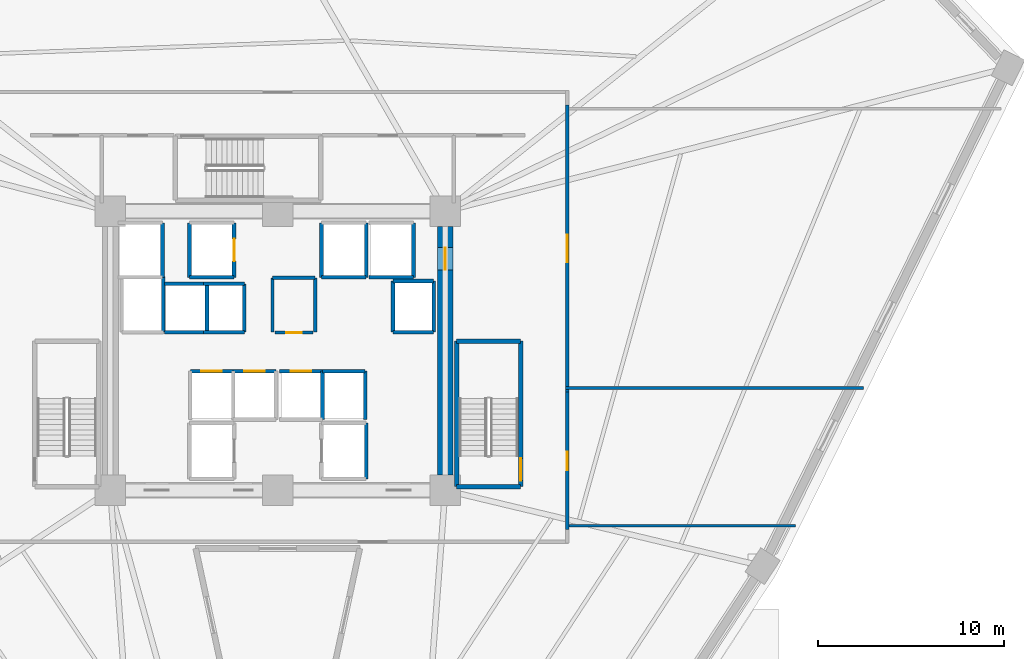
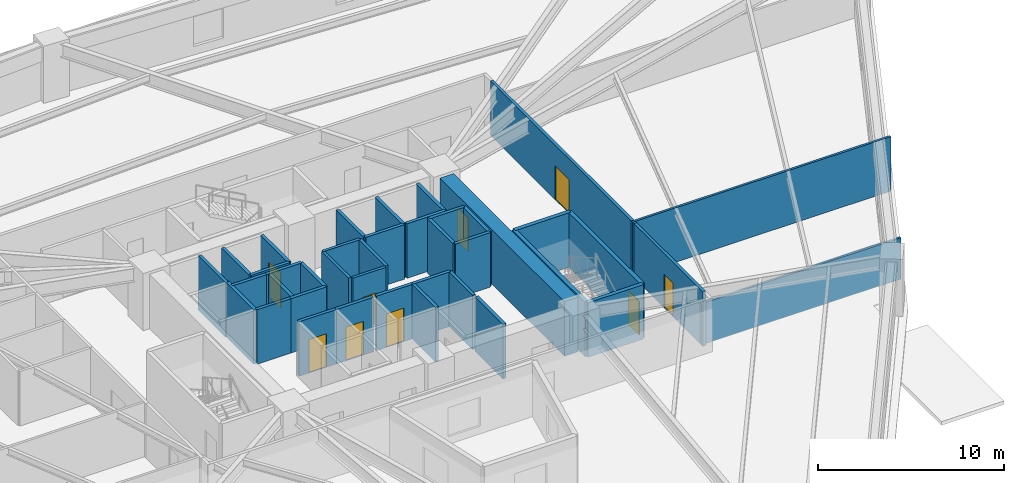
# One storey, part 5 of 9: 40 walls, 9 doors, 9 openings.
"""IFC4 building model written with IfcOpenShell, lengths in metres."""

from ifc_helpers import new_model, si_unit, direction, frame, frame_2d, origin, place, context, subcontext, project, spatial, rectangle, extrude, source, transform, mapped, material, layer, layer_set, type_object, element, fill, save


model = new_model("IFC4")

# Units and contexts
model_context = context("Model", 3, precision=1e-05, world=origin(), true_north=direction((0.0, 1.0)))
body_context = subcontext(model_context, "Body", "Model", "MODEL_VIEW")
ifc_project = project(units=[si_unit("LENGTHUNIT", "METRE"), si_unit("AREAUNIT", "SQUARE_METRE"), si_unit("VOLUMEUNIT", "CUBIC_METRE"), si_unit("PLANEANGLEUNIT", "RADIAN"), si_unit("MASSUNIT", "GRAM", prefix="KILO")], contexts=[model_context])

# Site, building, storey
site_placement = place(None, origin())
site = spatial("IfcSite", under=ifc_project, at=site_placement, CompositionType="ELEMENT")
building_placement = place(site_placement, origin())
building = spatial("IfcBuilding", under=site, at=building_placement, Name="Liaohun Quay Tower", CompositionType="ELEMENT")
storey_placement = place(building_placement, frame((0.0, 0.0, 28.5)))
storey = spatial("IfcBuildingStorey", under=building, at=storey_placement, Name="L07", CompositionType="ELEMENT", Elevation=28.5)

# Wall, opening, door
ifc_material_1 = material(Name="Concrete C60", Category="concrete")
ifc_layer_1 = layer(ifc_material_1, 0.85009765625, Name="Concrete C60", Category="concrete")
ifc_layer_set_1 = layer_set([ifc_layer_1], Name="Concrete C60")
wall_type_1 = type_object("IfcWallType", Name="WAL-COR-Z1", PredefinedType="SHEAR", material=ifc_layer_set_1)
wall_1_placement = place(storey_placement, frame((69.0, 60.675048828125, 0.0), z_axis=(0.0, 0.0, 1.0), x_axis=(0.0, -1.0, 0.0)))
wall_1 = element("IfcWall", 1, at=wall_1_placement, inside=storey, type_object=wall_type_1, Name="L07 Central Core Shear Wall E", PredefinedType="SHEAR", context=body_context, shape_type="SweptSolid", body=[
    extrude(rectangle(XDim=13.35009765625, YDim=0.85009765625, at=frame_2d((6.675048828125, 0.0))), origin(), (0.0, 0.0, 1.0), 3.570068359375),
])
shared_shape_1 = source(origin(), body_context, "Body", "SweptSolid", [
    extrude(rectangle(XDim=1.199951171875, YDim=2.199951171875, at=frame_2d((0.60009765625, 1.10009765625))), frame((0.0, 0.43505859375, 0.0), z_axis=(0.0, -1.0, 0.0), x_axis=(1.0, 0.0, 0.0)), (0.0, 0.0, 1.0), 0.8701171875),
])
opening_1_placement = place(wall_1_placement, frame((1.125, 0.0, 0.0)))
opening_1 = element("IfcOpeningElement", 2, at=opening_1_placement, cuts=wall_1, Name="Opening SD1", PredefinedType="OPENING", context=body_context, shape_type="MappedRepresentation", body=[
    mapped(shared_shape_1, transform((0.0, 0.0, 0.0), x_axis=(1.0, 0.0, 0.0), y_axis=(0.0, 1.0, 0.0), z_axis=(0.0, 0.0, 1.0), scale=1.0)),
])
ifc_material_2 = material(Name="Galvanised steel fire door", Category="steel")
door_type_1 = type_object("IfcDoorType", Name="DOR-STR-1200", OperationType="NOTDEFINED", PredefinedType="DOOR", material=ifc_material_2)
shared_shape_2 = source(origin(), body_context, "Body", "SweptSolid", [
    extrude(rectangle(XDim=1.199951171875, YDim=2.199951171875, at=frame_2d((0.60009765625, 1.10009765625))), frame((0.0, 0.02490234375, 0.0), z_axis=(0.0, -1.0, 0.0), x_axis=(1.0, 0.0, 0.0)), (0.0, 0.0, 1.0), 0.050048828125),
])
door_1_placement = place(opening_1_placement, origin())
door_1 = element("IfcDoor", 3, at=door_1_placement, inside=storey, type_object=door_type_1, Name="L07 North-East Core Lobby Smokeproof Door", OperationType="SINGLE_SWING_LEFT", OverallHeight=2.199951171875, OverallWidth=1.199951171875, PredefinedType="DOOR", context=body_context, shape_type="MappedRepresentation", body=[
    mapped(shared_shape_2, transform((0.0, 0.0, 0.0), x_axis=(1.0, 0.0, 0.0), y_axis=(0.0, 1.0, 0.0), z_axis=(0.0, 0.0, 1.0), scale=1.0)),
])
fill(opening_1, door_1)

ifc_material_3 = material(Name="Autoclaved aerated concrete blockwork", Category="masonry")
ifc_layer_2 = layer(ifc_material_3, 0.179931640625, Name="Autoclaved aerated concrete blockwork", Category="masonry")
ifc_layer_set_2 = layer_set([ifc_layer_2], Name="Autoclaved aerated concrete blockwork")
wall_type_2 = type_object("IfcWallType", Name="WAL-PRT-COR", PredefinedType="PARTITIONING", material=ifc_layer_set_2)
wall_2_placement = place(storey_placement, frame((59.840087890625, 54.97998046875, 0.0), z_axis=(0.0, 0.0, 1.0), x_axis=(1.0, 0.0, 0.0)))
wall_2 = element("IfcWall", 4, at=wall_2_placement, inside=storey, type_object=wall_type_2, Name="L07 Interior Partition Wall 001", PredefinedType="PARTITIONING", context=body_context, shape_type="SweptSolid", body=[
    extrude(rectangle(XDim=2.059814453125, YDim=0.179931640625, at=frame_2d((1.02978515625, 0.0))), origin(), (0.0, 0.0, 1.0), 3.570068359375),
])
shared_shape_3 = source(origin(), body_context, "Body", "SweptSolid", [
    extrude(rectangle(XDim=0.85009765625, YDim=2.10009765625, at=frame_2d((0.425048828125, 1.050048828125))), frame((0.0, 0.099853515625, 0.0), z_axis=(0.0, -1.0, 0.0), x_axis=(1.0, 0.0, 0.0)), (0.0, 0.0, 1.0), 0.199951171875),
])
opening_2_placement = place(wall_2_placement, frame((0.60498046875, 0.0, 0.0)))
opening_2 = element("IfcOpeningElement", 5, at=opening_2_placement, cuts=wall_2, Name="Opening AD1", PredefinedType="OPENING", context=body_context, shape_type="MappedRepresentation", body=[
    mapped(shared_shape_3, transform((0.0, 0.0, 0.0), x_axis=(1.0, 0.0, 0.0), y_axis=(0.0, 1.0, 0.0), z_axis=(0.0, 0.0, 1.0), scale=1.0)),
])
ifc_material_4 = material(Name="Steel riser inspection fire door", Category="steel")
door_type_2 = type_object("IfcDoorType", Name="DOR-SHF-850", OperationType="NOTDEFINED", PredefinedType="DOOR", material=ifc_material_4)
shared_shape_4 = source(origin(), body_context, "Body", "SweptSolid", [
    extrude(rectangle(XDim=0.85009765625, YDim=2.10009765625, at=frame_2d((0.425048828125, 1.050048828125))), frame((0.0, 0.02490234375, 0.0), z_axis=(0.0, -1.0, 0.0), x_axis=(1.0, 0.0, 0.0)), (0.0, 0.0, 1.0), 0.050048828125),
])
door_2_placement = place(opening_2_placement, origin())
door_2 = element("IfcDoor", 6, at=door_2_placement, inside=storey, type_object=door_type_2, Name="L07 Core Electrical and Telecom Riser Room Door", OperationType="SINGLE_SWING_RIGHT", OverallHeight=2.10009765625, OverallWidth=0.85009765625, PredefinedType="DOOR", context=body_context, shape_type="MappedRepresentation", body=[
    mapped(shared_shape_4, transform((0.0, 0.0, 0.0), x_axis=(1.0, 0.0, 0.0), y_axis=(0.0, 1.0, 0.0), z_axis=(0.0, 0.0, 1.0), scale=1.0)),
])
fill(opening_2, door_2)

wall_3_placement = place(storey_placement, frame((75.56005859375, 67.215087890625, 0.0), z_axis=(0.0, 0.0, 1.0), x_axis=(0.0, -1.0, 0.0)))
wall_3 = element("IfcWall", 7, at=wall_3_placement, inside=storey, type_object=wall_type_2, Name="L07 Interior Partition Wall 009", PredefinedType="PARTITIONING", context=body_context, shape_type="SweptSolid", body=[
    extrude(rectangle(XDim=15.43017578125, YDim=0.179931640625, at=frame_2d((7.715087890625, 0.0))), origin(), (0.0, 0.0, 1.0), 3.570068359375),
])
shared_shape_5 = source(origin(), body_context, "Body", "SweptSolid", [
    extrude(rectangle(XDim=1.5, YDim=2.199951171875, at=frame_2d((0.75, 1.10009765625))), frame((0.0, 0.099853515625, 0.0), z_axis=(0.0, -1.0, 0.0), x_axis=(1.0, 0.0, 0.0)), (0.0, 0.0, 1.0), 0.199951171875),
])
opening_3_placement = place(wall_3_placement, frame((6.965087890625, 0.0, 0.0)))
opening_3 = element("IfcOpeningElement", 8, at=opening_3_placement, cuts=wall_3, Name="Opening OD2", PredefinedType="OPENING", context=body_context, shape_type="MappedRepresentation", body=[
    mapped(shared_shape_5, transform((0.0, 0.0, 0.0), x_axis=(1.0, 0.0, 0.0), y_axis=(0.0, 1.0, 0.0), z_axis=(0.0, 0.0, 1.0), scale=1.0)),
])
ifc_material_5 = material(Name="Acoustic oak veneer double door")
door_type_3 = type_object("IfcDoorType", Name="DOR-OFF-1500", OperationType="DOUBLE_DOOR_SINGLE_SWING", PredefinedType="DOOR", material=ifc_material_5)
shared_shape_6 = source(origin(), body_context, "Body", "SweptSolid", [
    extrude(rectangle(XDim=1.5, YDim=2.199951171875, at=frame_2d((0.75, 1.10009765625))), frame((0.0, 0.02490234375, 0.0), z_axis=(0.0, -1.0, 0.0), x_axis=(1.0, 0.0, 0.0)), (0.0, 0.0, 1.0), 0.050048828125),
])
door_3_placement = place(opening_3_placement, origin())
door_3 = element("IfcDoor", 9, at=door_3_placement, inside=storey, type_object=door_type_3, Name="L07 Architectural Design Studio 01 Door", OperationType="DOUBLE_DOOR_SINGLE_SWING", OverallHeight=2.199951171875, OverallWidth=1.5, PredefinedType="DOOR", context=body_context, shape_type="MappedRepresentation", body=[
    mapped(shared_shape_6, transform((0.0, 0.0, 0.0), x_axis=(1.0, 0.0, 0.0), y_axis=(0.0, 1.0, 0.0), z_axis=(0.0, 0.0, 1.0), scale=1.0)),
])
fill(opening_3, door_3)

wall_4_placement = place(storey_placement, frame((75.56005859375, 51.784912109375, 0.0), z_axis=(0.0, 0.0, 1.0), x_axis=(0.0, -1.0, 0.0)))
wall_4 = element("IfcWall", 10, at=wall_4_placement, inside=storey, type_object=wall_type_2, Name="L07 Interior Partition Wall 014", PredefinedType="PARTITIONING", context=body_context, shape_type="SweptSolid", body=[
    extrude(rectangle(XDim=7.39990234375, YDim=0.179931640625, at=frame_2d((3.699951171875, 0.0))), origin(), (0.0, 0.0, 1.0), 3.570068359375),
])
shared_shape_7 = source(origin(), body_context, "Body", "SweptSolid", [
    extrude(rectangle(XDim=1.0, YDim=2.199951171875, at=frame_2d((0.5, 1.10009765625))), frame((0.0, 0.099853515625, 0.0), z_axis=(0.0, -1.0, 0.0), x_axis=(1.0, 0.0, 0.0)), (0.0, 0.0, 1.0), 0.199951171875),
])
opening_4_placement = place(wall_4_placement, frame((3.199951171875, 0.0, 0.0)))
opening_4 = element("IfcOpeningElement", 11, at=opening_4_placement, cuts=wall_4, Name="Opening OD1", PredefinedType="OPENING", context=body_context, shape_type="MappedRepresentation", body=[
    mapped(shared_shape_7, transform((0.0, 0.0, 0.0), x_axis=(1.0, 0.0, 0.0), y_axis=(0.0, 1.0, 0.0), z_axis=(0.0, 0.0, 1.0), scale=1.0)),
])
ifc_material_6 = material(Name="Solid-core oak veneer timber leaf in steel frame", Category="steel")
door_type_4 = type_object("IfcDoorType", Name="DOR-OFF-1000", OperationType="NOTDEFINED", PredefinedType="DOOR", material=ifc_material_6)
shared_shape_8 = source(origin(), body_context, "Body", "SweptSolid", [
    extrude(rectangle(XDim=1.0, YDim=2.199951171875, at=frame_2d((0.5, 1.10009765625))), frame((0.0, 0.02490234375, 0.0), z_axis=(0.0, -1.0, 0.0), x_axis=(1.0, 0.0, 0.0)), (0.0, 0.0, 1.0), 0.050048828125),
])
door_4_placement = place(opening_4_placement, origin())
door_4 = element("IfcDoor", 12, at=door_4_placement, inside=storey, type_object=door_type_4, Name="L07 Staff Tea Kitchen and Pantry 06 Door", OperationType="SINGLE_SWING_LEFT", OverallHeight=2.199951171875, OverallWidth=1.0, PredefinedType="DOOR", context=body_context, shape_type="MappedRepresentation", body=[
    mapped(shared_shape_8, transform((0.0, 0.0, 0.0), x_axis=(1.0, 0.0, 0.0), y_axis=(0.0, 1.0, 0.0), z_axis=(0.0, 0.0, 1.0), scale=1.0)),
])
fill(opening_4, door_4)

# Walls
for number, where, z_axis, x_axis, name in (
    (13, (59.719970703125, 55.02001953125, 0.0), (0.0, 0.0, 1.0), (0.0, 1.0, 0.0), "L07 Interior Partition Wall 015"),
    (14, (62.010009765625, 55.02001953125, 0.0), (0.0, 0.0, 1.0), (0.0, 1.0, 0.0), "L07 Interior Partition Wall 016"),
):
    element("IfcWall", number, at=place(storey_placement, frame(where, z_axis=z_axis, x_axis=x_axis)), inside=storey, type_object=wall_type_2, Name=name, PredefinedType="PARTITIONING", context=body_context, shape_type="SweptSolid", body=[
        extrude(rectangle(XDim=2.8798828125, YDim=0.179931640625, at=frame_2d((1.43994140625, 0.0))), origin(), (0.0, 0.0, 1.0), 3.570068359375),
    ])
wall_5_placement = place(storey_placement, frame((59.719970703125, 57.919921875, 0.0), z_axis=(0.0, 0.0, 1.0), x_axis=(1.0, 0.0, 0.0)))
element("IfcWall", 15, at=wall_5_placement, inside=storey, type_object=wall_type_2, Name="L07 Interior Partition Wall 017", PredefinedType="PARTITIONING", context=body_context, shape_type="SweptSolid", body=[
    extrude(rectangle(XDim=2.2900390625, YDim=0.179931640625, at=frame_2d((1.14501953125, 0.0))), origin(), (0.0, 0.0, 1.0), 3.570068359375),
])
ifc_material_7 = material(Name="Gypsum board on twin steel studs", Category="steel")
ifc_layer_3 = layer(ifc_material_7, 0.139892578125, Name="Gypsum board on twin steel studs", Category="steel")
ifc_layer_set_3 = layer_set([ifc_layer_3], Name="Gypsum board on twin steel studs")
wall_type_3 = type_object("IfcWallType", Name="WAL-PRT-OFF", PredefinedType="PARTITIONING", material=ifc_layer_set_3)
wall_6_placement = place(storey_placement, frame((75.4599609375, 44.60009765625, 0.0), z_axis=(0.0, 0.0, 1.0), x_axis=(1.0, 0.0, 0.0)))
element("IfcWall", 16, at=wall_6_placement, inside=storey, type_object=wall_type_3, Name="L07 Interior Partition Wall 033", PredefinedType="PARTITIONING", context=body_context, shape_type="SweptSolid", body=[
    extrude(rectangle(XDim=12.379150390625, YDim=0.139892578125, at=frame_2d((6.189453125, 0.0))), origin(), (0.0, 0.0, 1.0), 2.705078125),
])
wall_7_placement = place(storey_placement, frame((75.4599609375, 52.0, 0.0), z_axis=(0.0, 0.0, 1.0), x_axis=(1.0, 0.0, 0.0)))
element("IfcWall", 17, at=wall_7_placement, inside=storey, type_object=wall_type_3, Name="L07 Interior Partition Wall 034", PredefinedType="PARTITIONING", context=body_context, shape_type="SweptSolid", body=[
    extrude(rectangle(XDim=16.02294921875, YDim=0.139892578125, at=frame_2d((8.011474609375, 0.0))), origin(), (0.0, 0.0, 1.0), 3.570068359375),
])
ifc_material_8 = material(Name="Concrete C50", Category="concrete")
ifc_layer_4 = layer(ifc_material_8, 0.239990234375, Name="Concrete C50", Category="concrete")
ifc_layer_set_4 = layer_set([ifc_layer_4], Name="Concrete C50")
wall_type_4 = type_object("IfcWallType", Name="WAL-SHF-200", PredefinedType="SOLIDWALL", material=ifc_layer_set_4)
wall_8_placement = place(storey_placement, frame((69.6201171875, 46.699951171875, 0.0), z_axis=(0.0, 0.0, 1.0), x_axis=(1.0, 0.0, 0.0)))
element("IfcWall", 18, at=wall_8_placement, inside=storey, type_object=wall_type_4, Name="L07 Stairwell ST-2 Structural Core Wall S", PredefinedType="SOLIDWALL", context=body_context, shape_type="SweptSolid", body=[
    extrude(rectangle(XDim=3.43994140625, YDim=0.239990234375, at=frame_2d((1.719970703125, 0.0))), origin(), (0.0, 0.0, 1.0), 3.570068359375),
])

# Wall, opening, door
wall_9_placement = place(storey_placement, frame((73.06005859375, 46.699951171875, 0.0), z_axis=(0.0, 0.0, 1.0), x_axis=(0.0, 1.0, 0.0)))
wall_9 = element("IfcWall", 19, at=wall_9_placement, inside=storey, type_object=wall_type_4, Name="L07 Stairwell ST-2 Structural Core Wall E", PredefinedType="SOLIDWALL", context=body_context, shape_type="SweptSolid", body=[
    extrude(rectangle(XDim=7.820068359375, YDim=0.239990234375, at=frame_2d((3.91015625, 0.0))), origin(), (0.0, 0.0, 1.0), 3.570068359375),
])
shared_shape_9 = source(origin(), body_context, "Body", "SweptSolid", [
    extrude(rectangle(XDim=1.199951171875, YDim=2.199951171875, at=frame_2d((0.60009765625, 1.10009765625))), frame((0.0, 0.1298828125, 0.0), z_axis=(0.0, -1.0, 0.0), x_axis=(1.0, 0.0, 0.0)), (0.0, 0.0, 1.0), 0.260009765625),
])
opening_5_placement = place(wall_9_placement, frame((0.320068359375, 0.0, 0.0)))
opening_5 = element("IfcOpeningElement", 20, at=opening_5_placement, cuts=wall_9, Name="Opening SD1", PredefinedType="OPENING", context=body_context, shape_type="MappedRepresentation", body=[
    mapped(shared_shape_9, transform((0.0, 0.0, 0.0), x_axis=(1.0, 0.0, 0.0), y_axis=(0.0, 1.0, 0.0), z_axis=(0.0, 0.0, 1.0), scale=1.0)),
])
door_5_placement = place(opening_5_placement, origin())
door_5 = element("IfcDoor", 21, at=door_5_placement, inside=storey, type_object=door_type_1, Name="L07 Protected Stair ST-2 Fire Door", OperationType="SINGLE_SWING_RIGHT", OverallHeight=2.199951171875, OverallWidth=1.199951171875, PredefinedType="DOOR", context=body_context, shape_type="MappedRepresentation", body=[
    mapped(shared_shape_2, transform((0.0, 0.0, 0.0), x_axis=(1.0, 0.0, 0.0), y_axis=(0.0, 1.0, 0.0), z_axis=(0.0, 0.0, 1.0), scale=1.0)),
])
fill(opening_5, door_5)

# Walls
wall_10_placement = place(storey_placement, frame((73.06005859375, 54.52001953125, 0.0), z_axis=(0.0, 0.0, 1.0), x_axis=(-1.0, 0.0, 0.0)))
element("IfcWall", 22, at=wall_10_placement, inside=storey, type_object=wall_type_4, Name="L07 Stairwell ST-2 Structural Core Wall N", PredefinedType="SOLIDWALL", context=body_context, shape_type="SweptSolid", body=[
    extrude(rectangle(XDim=3.43994140625, YDim=0.239990234375, at=frame_2d((1.719970703125, 0.0))), origin(), (0.0, 0.0, 1.0), 3.570068359375),
])
wall_11_placement = place(storey_placement, frame((69.6201171875, 54.52001953125, 0.0), z_axis=(0.0, 0.0, 1.0), x_axis=(0.0, -1.0, 0.0)))
element("IfcWall", 23, at=wall_11_placement, inside=storey, type_object=wall_type_4, Name="L07 Stairwell ST-2 Structural Core Wall W", PredefinedType="SOLIDWALL", context=body_context, shape_type="SweptSolid", body=[
    extrude(rectangle(XDim=7.820068359375, YDim=0.239990234375, at=frame_2d((3.91015625, 0.0))), origin(), (0.0, 0.0, 1.0), 3.570068359375),
])
wall_12_placement = place(storey_placement, frame((64.75, 47.1201171875, 0.0), z_axis=(0.0, 0.0, 1.0), x_axis=(0.0, 1.0, 0.0)))
element("IfcWall", 24, at=wall_12_placement, inside=storey, type_object=wall_type_4, Name="L07 Lift FF-02 Hoistway Wall E", PredefinedType="SOLIDWALL", context=body_context, shape_type="SweptSolid", body=[
    extrude(rectangle(XDim=3.0, YDim=0.199951171875, at=frame_2d((1.5, 0.0))), origin(), (0.0, 0.0, 1.0), 3.570068359375),
])
wall_13_placement = place(storey_placement, frame((55.25, 57.949951171875, 0.0), z_axis=(0.0, 0.0, 1.0), x_axis=(1.0, 0.0, 0.0)))
element("IfcWall", 25, at=wall_13_placement, inside=storey, type_object=wall_type_4, Name="L07 Lift FF-03 Hoistway Wall S", PredefinedType="SOLIDWALL", context=body_context, shape_type="SweptSolid", body=[
    extrude(rectangle(XDim=2.39990234375, YDim=0.199951171875, at=frame_2d((1.199951171875, 0.0))), origin(), (0.0, 0.0, 1.0), 3.570068359375),
])

# Wall, opening, door
wall_14_placement = place(storey_placement, frame((57.64990234375, 57.949951171875, 0.0), z_axis=(0.0, 0.0, 1.0), x_axis=(0.0, 1.0, 0.0)))
wall_14 = element("IfcWall", 26, at=wall_14_placement, inside=storey, type_object=wall_type_4, Name="L07 Lift FF-03 Hoistway Wall E", PredefinedType="SOLIDWALL", context=body_context, shape_type="SweptSolid", body=[
    extrude(rectangle(XDim=2.929931640625, YDim=0.199951171875, at=frame_2d((1.46484375, 0.0))), origin(), (0.0, 0.0, 1.0), 3.570068359375),
])
shared_shape_10 = source(origin(), body_context, "Body", "SweptSolid", [
    extrude(rectangle(XDim=1.199951171875, YDim=2.300048828125, at=frame_2d((0.60009765625, 1.14990234375))), frame((0.0, 0.10986328125, 0.0), z_axis=(0.0, -1.0, 0.0), x_axis=(1.0, 0.0, 0.0)), (0.0, 0.0, 1.0), 0.219970703125),
])
opening_6_placement = place(wall_14_placement, frame((0.864990234375, 0.0, 0.0)))
opening_6 = element("IfcOpeningElement", 27, at=opening_6_placement, cuts=wall_14, Name="Opening LD2", PredefinedType="OPENING", context=body_context, shape_type="MappedRepresentation", body=[
    mapped(shared_shape_10, transform((0.0, 0.0, 0.0), x_axis=(1.0, 0.0, 0.0), y_axis=(0.0, 1.0, 0.0), z_axis=(0.0, 0.0, 1.0), scale=1.0)),
])
ifc_material_9 = material(Name="Brushed stainless steel stretcher landing door", Category="steel")
door_type_5 = type_object("IfcDoorType", Name="DOR-LFT-1200", OperationType="SLIDING_TO_LEFT", PredefinedType="DOOR", material=ifc_material_9)
shared_shape_11 = source(origin(), body_context, "Body", "SweptSolid", [
    extrude(rectangle(XDim=1.199951171875, YDim=2.300048828125, at=frame_2d((0.60009765625, 1.14990234375))), frame((0.0, 0.02490234375, 0.0), z_axis=(0.0, -1.0, 0.0), x_axis=(1.0, 0.0, 0.0)), (0.0, 0.0, 1.0), 0.050048828125),
])
door_6_placement = place(opening_6_placement, origin())
door_6 = element("IfcDoor", 28, at=door_6_placement, inside=storey, type_object=door_type_5, Name="L07 Lift FF-03 Sliding Landing Door", OperationType="SLIDING_TO_LEFT", OverallHeight=2.300048828125, OverallWidth=1.199951171875, PredefinedType="DOOR", context=body_context, shape_type="MappedRepresentation", body=[
    mapped(shared_shape_11, transform((0.0, 0.0, 0.0), x_axis=(1.0, 0.0, 0.0), y_axis=(0.0, 1.0, 0.0), z_axis=(0.0, 0.0, 1.0), scale=1.0)),
])
fill(opening_6, door_6)

# Walls
wall_15_placement = place(storey_placement, frame((55.25, 60.8798828125, 0.0), z_axis=(0.0, 0.0, 1.0), x_axis=(0.0, -1.0, 0.0)))
element("IfcWall", 29, at=wall_15_placement, inside=storey, type_object=wall_type_4, Name="L07 Lift FF-03 Hoistway Wall W", PredefinedType="SOLIDWALL", context=body_context, shape_type="SweptSolid", body=[
    extrude(rectangle(XDim=2.929931640625, YDim=0.199951171875, at=frame_2d((1.46484375, 0.0))), origin(), (0.0, 0.0, 1.0), 3.570068359375),
])
wall_16_placement = place(storey_placement, frame((62.35009765625, 57.949951171875, 0.0), z_axis=(0.0, 0.0, 1.0), x_axis=(1.0, 0.0, 0.0)))
element("IfcWall", 30, at=wall_16_placement, inside=storey, type_object=wall_type_4, Name="L07 Lift OB-01 Hoistway Wall S", PredefinedType="SOLIDWALL", context=body_context, shape_type="SweptSolid", body=[
    extrude(rectangle(XDim=2.39990234375, YDim=0.199951171875, at=frame_2d((1.199951171875, 0.0))), origin(), (0.0, 0.0, 1.0), 3.570068359375),
])
for number, where, z_axis, x_axis, name in (
    (31, (64.75, 57.949951171875, 0.0), (0.0, 0.0, 1.0), (0.0, 1.0, 0.0), "L07 Lift OB-01 Hoistway Wall E"),
    (32, (62.35009765625, 60.8798828125, 0.0), (0.0, 0.0, 1.0), (0.0, -1.0, 0.0), "L07 Lift OB-01 Hoistway Wall W"),
):
    element("IfcWall", number, at=place(storey_placement, frame(where, z_axis=z_axis, x_axis=x_axis)), inside=storey, type_object=wall_type_4, Name=name, PredefinedType="SOLIDWALL", context=body_context, shape_type="SweptSolid", body=[
        extrude(rectangle(XDim=2.929931640625, YDim=0.199951171875, at=frame_2d((1.46484375, 0.0))), origin(), (0.0, 0.0, 1.0), 3.570068359375),
    ])
wall_17_placement = place(storey_placement, frame((64.89990234375, 57.949951171875, 0.0), z_axis=(0.0, 0.0, 1.0), x_axis=(1.0, 0.0, 0.0)))
element("IfcWall", 33, at=wall_17_placement, inside=storey, type_object=wall_type_4, Name="L07 Lift OB-02 Hoistway Wall S", PredefinedType="SOLIDWALL", context=body_context, shape_type="SweptSolid", body=[
    extrude(rectangle(XDim=2.400146484375, YDim=0.199951171875, at=frame_2d((1.2001953125, 0.0))), origin(), (0.0, 0.0, 1.0), 3.570068359375),
])
for number, where, z_axis, x_axis, name in (
    (34, (67.300048828125, 57.949951171875, 0.0), (0.0, 0.0, 1.0), (0.0, 1.0, 0.0), "L07 Lift OB-02 Hoistway Wall E"),
    (35, (53.800048828125, 57.949951171875, 0.0), (0.0, 0.0, 1.0), (0.0, 1.0, 0.0), "L07 Lift SH-01 Hoistway Wall E"),
):
    element("IfcWall", number, at=place(storey_placement, frame(where, z_axis=z_axis, x_axis=x_axis)), inside=storey, type_object=wall_type_4, Name=name, PredefinedType="SOLIDWALL", context=body_context, shape_type="SweptSolid", body=[
        extrude(rectangle(XDim=2.929931640625, YDim=0.199951171875, at=frame_2d((1.46484375, 0.0))), origin(), (0.0, 0.0, 1.0), 3.570068359375),
    ])
wall_18_placement = place(storey_placement, frame((53.85009765625, 55.0, 0.0), z_axis=(0.0, 0.0, 1.0), x_axis=(0.0, 1.0, 0.0)))
element("IfcWall", 36, at=wall_18_placement, inside=storey, type_object=wall_type_4, Name="L07 Lift SH-02 Hoistway Wall E", PredefinedType="SOLIDWALL", context=body_context, shape_type="SweptSolid", body=[
    extrude(rectangle(XDim=3.0, YDim=0.199951171875, at=frame_2d((1.5, 0.0))), origin(), (0.0, 0.0, 1.0), 3.570068359375),
])
wall_19_placement = place(storey_placement, frame((66.199951171875, 55.0, 0.0), z_axis=(0.0, 0.0, 1.0), x_axis=(1.0, 0.0, 0.0)))
element("IfcWall", 37, at=wall_19_placement, inside=storey, type_object=wall_type_4, Name="L07 Lift SH-03 Hoistway Wall S", PredefinedType="SOLIDWALL", context=body_context, shape_type="SweptSolid", body=[
    extrude(rectangle(XDim=2.179931640625, YDim=0.199951171875, at=frame_2d((1.08984375, 0.0))), origin(), (0.0, 0.0, 1.0), 3.570068359375),
])
wall_20_placement = place(storey_placement, frame((68.3798828125, 55.0, 0.0), z_axis=(0.0, 0.0, 1.0), x_axis=(0.0, 1.0, 0.0)))
element("IfcWall", 38, at=wall_20_placement, inside=storey, type_object=wall_type_4, Name="L07 Lift SH-03 Hoistway Wall E", PredefinedType="SOLIDWALL", context=body_context, shape_type="SweptSolid", body=[
    extrude(rectangle(XDim=2.75, YDim=0.199951171875, at=frame_2d((1.375, 0.0))), origin(), (0.0, 0.0, 1.0), 3.570068359375),
])
wall_21_placement = place(storey_placement, frame((68.3798828125, 57.75, 0.0), z_axis=(0.0, 0.0, 1.0), x_axis=(-1.0, 0.0, 0.0)))
element("IfcWall", 39, at=wall_21_placement, inside=storey, type_object=wall_type_4, Name="L07 Lift SH-03 Hoistway Wall N", PredefinedType="SOLIDWALL", context=body_context, shape_type="SweptSolid", body=[
    extrude(rectangle(XDim=2.179931640625, YDim=0.199951171875, at=frame_2d((1.08984375, 0.0))), origin(), (0.0, 0.0, 1.0), 3.570068359375),
])
wall_22_placement = place(storey_placement, frame((66.199951171875, 57.75, 0.0), z_axis=(0.0, 0.0, 1.0), x_axis=(0.0, -1.0, 0.0)))
element("IfcWall", 40, at=wall_22_placement, inside=storey, type_object=wall_type_4, Name="L07 Lift SH-03 Hoistway Wall W", PredefinedType="SOLIDWALL", context=body_context, shape_type="SweptSolid", body=[
    extrude(rectangle(XDim=2.75, YDim=0.199951171875, at=frame_2d((1.375, 0.0))), origin(), (0.0, 0.0, 1.0), 3.570068359375),
])

# Wall, opening, door
wall_23_placement = place(storey_placement, frame((57.60009765625, 52.89990234375, 0.0), z_axis=(0.0, 0.0, 1.0), x_axis=(-1.0, 0.0, 0.0)))
wall_23 = element("IfcWall", 41, at=wall_23_placement, inside=storey, type_object=wall_type_4, Name="L07 Lift PL-1A Hoistway Wall N", PredefinedType="SOLIDWALL", context=body_context, shape_type="SweptSolid", body=[
    extrude(rectangle(XDim=2.300048828125, YDim=0.199951171875, at=frame_2d((1.14990234375, 0.0))), origin(), (0.0, 0.0, 1.0), 3.570068359375),
])
shared_shape_12 = source(origin(), body_context, "Body", "SweptSolid", [
    extrude(rectangle(XDim=1.10009765625, YDim=2.199951171875, at=frame_2d((0.550048828125, 1.10009765625))), frame((0.0, 0.10986328125, 0.0), z_axis=(0.0, -1.0, 0.0), x_axis=(1.0, 0.0, 0.0)), (0.0, 0.0, 1.0), 0.219970703125),
])
opening_7_placement = place(wall_23_placement, frame((0.60009765625, 0.0, 0.0)))
opening_7 = element("IfcOpeningElement", 42, at=opening_7_placement, cuts=wall_23, Name="Opening LD1", PredefinedType="OPENING", context=body_context, shape_type="MappedRepresentation", body=[
    mapped(shared_shape_12, transform((0.0, 0.0, 0.0), x_axis=(1.0, 0.0, 0.0), y_axis=(0.0, 1.0, 0.0), z_axis=(0.0, 0.0, 1.0), scale=1.0)),
])
ifc_material_10 = material(Name="Brushed stainless steel landing door", Category="steel")
door_type_6 = type_object("IfcDoorType", Name="DOR-LFT-1100", OperationType="SLIDING_TO_LEFT", PredefinedType="DOOR", material=ifc_material_10)
shared_shape_13 = source(origin(), body_context, "Body", "SweptSolid", [
    extrude(rectangle(XDim=1.10009765625, YDim=2.199951171875, at=frame_2d((0.550048828125, 1.10009765625))), frame((0.0, 0.02490234375, 0.0), z_axis=(0.0, -1.0, 0.0), x_axis=(1.0, 0.0, 0.0)), (0.0, 0.0, 1.0), 0.050048828125),
])
door_7_placement = place(opening_7_placement, origin())
door_7 = element("IfcDoor", 43, at=door_7_placement, inside=storey, type_object=door_type_6, Name="L07 Lift PL-1A Sliding Landing Door", OperationType="SLIDING_TO_LEFT", OverallHeight=2.199951171875, OverallWidth=1.10009765625, PredefinedType="DOOR", context=body_context, shape_type="MappedRepresentation", body=[
    mapped(shared_shape_13, transform((0.0, 0.0, 0.0), x_axis=(1.0, 0.0, 0.0), y_axis=(0.0, 1.0, 0.0), z_axis=(0.0, 0.0, 1.0), scale=1.0)),
])
fill(opening_7, door_7)

wall_24_placement = place(storey_placement, frame((59.89990234375, 52.89990234375, 0.0), z_axis=(0.0, 0.0, 1.0), x_axis=(-1.0, 0.0, 0.0)))
wall_24 = element("IfcWall", 44, at=wall_24_placement, inside=storey, type_object=wall_type_4, Name="L07 Lift PL-1B Hoistway Wall N", PredefinedType="SOLIDWALL", context=body_context, shape_type="SweptSolid", body=[
    extrude(rectangle(XDim=2.2998046875, YDim=0.199951171875, at=frame_2d((1.14990234375, 0.0))), origin(), (0.0, 0.0, 1.0), 3.570068359375),
])
opening_8_placement = place(wall_24_placement, frame((0.60009765625, 0.0, 0.0)))
opening_8 = element("IfcOpeningElement", 45, at=opening_8_placement, cuts=wall_24, Name="Opening LD1", PredefinedType="OPENING", context=body_context, shape_type="MappedRepresentation", body=[
    mapped(shared_shape_12, transform((0.0, 0.0, 0.0), x_axis=(1.0, 0.0, 0.0), y_axis=(0.0, 1.0, 0.0), z_axis=(0.0, 0.0, 1.0), scale=1.0)),
])
door_8_placement = place(opening_8_placement, origin())
door_8 = element("IfcDoor", 46, at=door_8_placement, inside=storey, type_object=door_type_6, Name="L07 Lift PL-1B Sliding Landing Door", OperationType="SLIDING_TO_LEFT", OverallHeight=2.199951171875, OverallWidth=1.10009765625, PredefinedType="DOOR", context=body_context, shape_type="MappedRepresentation", body=[
    mapped(shared_shape_13, transform((0.0, 0.0, 0.0), x_axis=(1.0, 0.0, 0.0), y_axis=(0.0, 1.0, 0.0), z_axis=(0.0, 0.0, 1.0), scale=1.0)),
])
fill(opening_8, door_8)

# Wall
wall_25_placement = place(storey_placement, frame((62.39990234375, 50.300048828125, 0.0), z_axis=(0.0, 0.0, 1.0), x_axis=(0.0, 1.0, 0.0)))
element("IfcWall", 47, at=wall_25_placement, inside=storey, type_object=wall_type_4, Name="L07 Lift PL-1C Hoistway Wall E", PredefinedType="SOLIDWALL", context=body_context, shape_type="SweptSolid", body=[
    extrude(rectangle(XDim=2.599853515625, YDim=0.199951171875, at=frame_2d((1.2998046875, 0.0))), origin(), (0.0, 0.0, 1.0), 3.570068359375),
])

# Wall, opening, door
wall_26_placement = place(storey_placement, frame((62.39990234375, 52.89990234375, 0.0), z_axis=(0.0, 0.0, 1.0), x_axis=(-1.0, 0.0, 0.0)))
wall_26 = element("IfcWall", 48, at=wall_26_placement, inside=storey, type_object=wall_type_4, Name="L07 Lift PL-1C Hoistway Wall N", PredefinedType="SOLIDWALL", context=body_context, shape_type="SweptSolid", body=[
    extrude(rectangle(XDim=2.2998046875, YDim=0.199951171875, at=frame_2d((1.14990234375, 0.0))), origin(), (0.0, 0.0, 1.0), 3.570068359375),
])
opening_9_placement = place(wall_26_placement, frame((0.60009765625, 0.0, 0.0)))
opening_9 = element("IfcOpeningElement", 49, at=opening_9_placement, cuts=wall_26, Name="Opening LD1", PredefinedType="OPENING", context=body_context, shape_type="MappedRepresentation", body=[
    mapped(shared_shape_12, transform((0.0, 0.0, 0.0), x_axis=(1.0, 0.0, 0.0), y_axis=(0.0, 1.0, 0.0), z_axis=(0.0, 0.0, 1.0), scale=1.0)),
])
door_9_placement = place(opening_9_placement, origin())
door_9 = element("IfcDoor", 50, at=door_9_placement, inside=storey, type_object=door_type_6, Name="L07 Lift PL-1C Sliding Landing Door", OperationType="SLIDING_TO_LEFT", OverallHeight=2.199951171875, OverallWidth=1.10009765625, PredefinedType="DOOR", context=body_context, shape_type="MappedRepresentation", body=[
    mapped(shared_shape_13, transform((0.0, 0.0, 0.0), x_axis=(1.0, 0.0, 0.0), y_axis=(0.0, 1.0, 0.0), z_axis=(0.0, 0.0, 1.0), scale=1.0)),
])
fill(opening_9, door_9)

# Walls
wall_27_placement = place(storey_placement, frame((64.699951171875, 50.300048828125, 0.0), z_axis=(0.0, 0.0, 1.0), x_axis=(0.0, 1.0, 0.0)))
element("IfcWall", 51, at=wall_27_placement, inside=storey, type_object=wall_type_4, Name="L07 Lift PL-2A Hoistway Wall E", PredefinedType="SOLIDWALL", context=body_context, shape_type="SweptSolid", body=[
    extrude(rectangle(XDim=2.599853515625, YDim=0.199951171875, at=frame_2d((1.2998046875, 0.0))), origin(), (0.0, 0.0, 1.0), 3.570068359375),
])
for number, where, z_axis, x_axis, name in (
    (52, (64.699951171875, 52.89990234375, 0.0), (0.0, 0.0, 1.0), (-1.0, 0.0, 0.0), "L07 Lift PL-2A Hoistway Wall N"),
    (53, (53.89990234375, 55.0, 0.0), (0.0, 0.0, 1.0), (1.0, 0.0, 0.0), "L07 Lift PL-2B Hoistway Wall S"),
):
    element("IfcWall", number, at=place(storey_placement, frame(where, z_axis=z_axis, x_axis=x_axis)), inside=storey, type_object=wall_type_4, Name=name, PredefinedType="SOLIDWALL", context=body_context, shape_type="SweptSolid", body=[
        extrude(rectangle(XDim=2.300048828125, YDim=0.199951171875, at=frame_2d((1.14990234375, 0.0))), origin(), (0.0, 0.0, 1.0), 3.570068359375),
    ])
wall_28_placement = place(storey_placement, frame((56.199951171875, 55.0, 0.0), z_axis=(0.0, 0.0, 1.0), x_axis=(0.0, 1.0, 0.0)))
element("IfcWall", 54, at=wall_28_placement, inside=storey, type_object=wall_type_4, Name="L07 Lift PL-2B Hoistway Wall E", PredefinedType="SOLIDWALL", context=body_context, shape_type="SweptSolid", body=[
    extrude(rectangle(XDim=2.60009765625, YDim=0.199951171875, at=frame_2d((1.300048828125, 0.0))), origin(), (0.0, 0.0, 1.0), 3.570068359375),
])
wall_29_placement = place(storey_placement, frame((56.199951171875, 57.60009765625, 0.0), z_axis=(0.0, 0.0, 1.0), x_axis=(-1.0, 0.0, 0.0)))
element("IfcWall", 55, at=wall_29_placement, inside=storey, type_object=wall_type_4, Name="L07 Lift PL-2B Hoistway Wall N", PredefinedType="SOLIDWALL", context=body_context, shape_type="SweptSolid", body=[
    extrude(rectangle(XDim=2.300048828125, YDim=0.199951171875, at=frame_2d((1.14990234375, 0.0))), origin(), (0.0, 0.0, 1.0), 3.570068359375),
])
wall_30_placement = place(storey_placement, frame((56.0, 55.0, 0.0), z_axis=(0.0, 0.0, 1.0), x_axis=(1.0, 0.0, 0.0)))
element("IfcWall", 56, at=wall_30_placement, inside=storey, type_object=wall_type_4, Name="L07 Lift PL-2C Hoistway Wall S", PredefinedType="SOLIDWALL", context=body_context, shape_type="SweptSolid", body=[
    extrude(rectangle(XDim=2.199951171875, YDim=0.199951171875, at=frame_2d((1.10009765625, 0.0))), origin(), (0.0, 0.0, 1.0), 3.570068359375),
])
wall_31_placement = place(storey_placement, frame((58.199951171875, 55.0, 0.0), z_axis=(0.0, 0.0, 1.0), x_axis=(0.0, 1.0, 0.0)))
element("IfcWall", 57, at=wall_31_placement, inside=storey, type_object=wall_type_4, Name="L07 Lift PL-2C Hoistway Wall E", PredefinedType="SOLIDWALL", context=body_context, shape_type="SweptSolid", body=[
    extrude(rectangle(XDim=2.60009765625, YDim=0.199951171875, at=frame_2d((1.300048828125, 0.0))), origin(), (0.0, 0.0, 1.0), 3.570068359375),
])
wall_32_placement = place(storey_placement, frame((58.199951171875, 57.60009765625, 0.0), z_axis=(0.0, 0.0, 1.0), x_axis=(-1.0, 0.0, 0.0)))
element("IfcWall", 58, at=wall_32_placement, inside=storey, type_object=wall_type_4, Name="L07 Lift PL-2C Hoistway Wall N", PredefinedType="SOLIDWALL", context=body_context, shape_type="SweptSolid", body=[
    extrude(rectangle(XDim=2.199951171875, YDim=0.199951171875, at=frame_2d((1.10009765625, 0.0))), origin(), (0.0, 0.0, 1.0), 3.570068359375),
])

save(model, "model.ifc")
